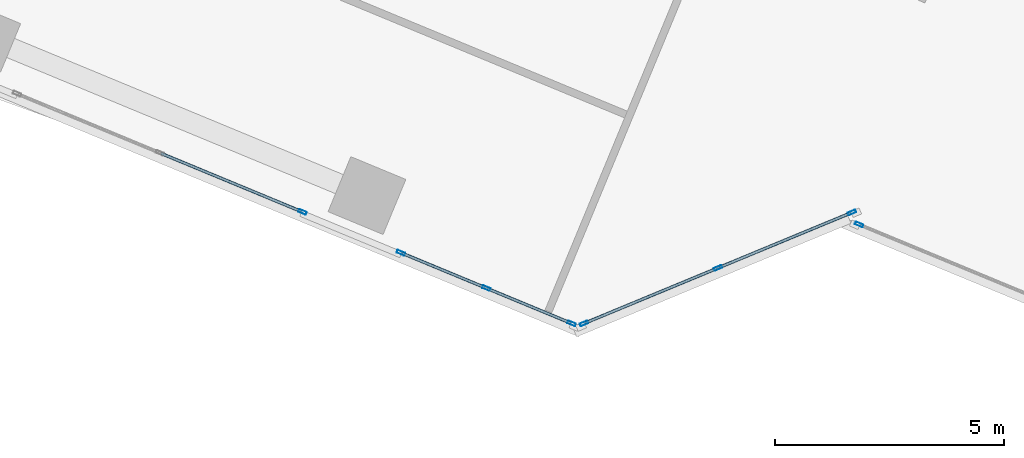
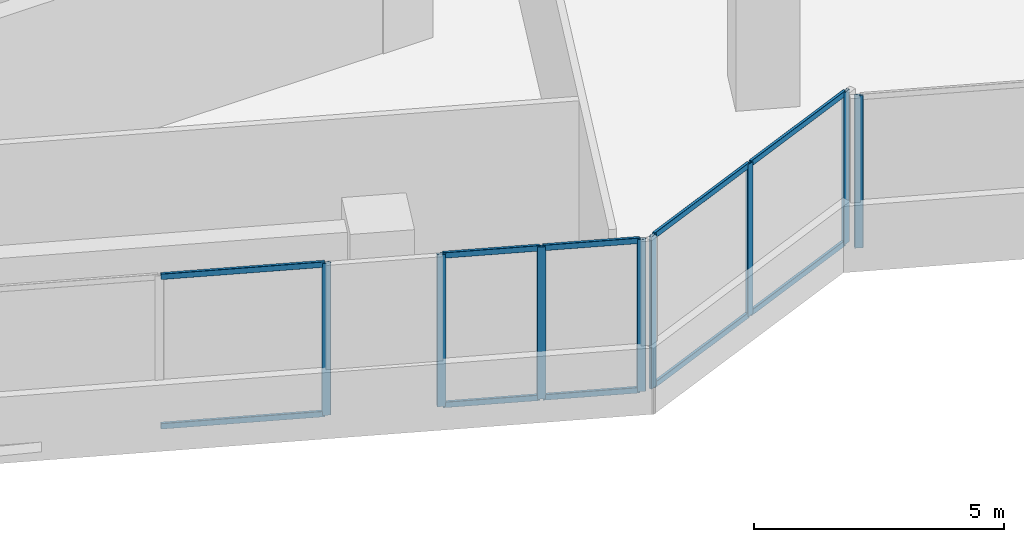
# One storey, part 4 of 24: 18 members, 4 elements without a shape of their own.
"""IFC4 building model written with IfcOpenShell, lengths in metres."""

from ifc_helpers import new_model, si_unit, direction, frame, origin, origin_2d, place, context, subcontext, project, spatial, hollow_rectangle, extrude, source, transform, mapped, material, material_profile, profile_set, type_object, element, aggregate, save


model = new_model("IFC4")

# Units and contexts
model_context = context("Model", 3, precision=1e-05, world=origin(), true_north=direction((0.0, 1.0)))
body_context = subcontext(model_context, "Body", "Model", "MODEL_VIEW")
ifc_project = project(units=[si_unit("LENGTHUNIT", "METRE"), si_unit("AREAUNIT", "SQUARE_METRE"), si_unit("VOLUMEUNIT", "CUBIC_METRE"), si_unit("PLANEANGLEUNIT", "RADIAN"), si_unit("MASSUNIT", "GRAM", prefix="KILO")], contexts=[model_context])

# Site, building, storey
site_placement = place(None, origin())
site = spatial("IfcSite", under=ifc_project, at=site_placement, CompositionType="ELEMENT")
building_placement = place(site_placement, origin())
building = spatial("IfcBuilding", under=site, at=building_placement, Name="Torre Montelarca", CompositionType="ELEMENT")
storey_placement = place(building_placement, frame((0.0, 0.0, 141.39990234375)))
storey = spatial("IfcBuildingStorey", under=building, at=storey_placement, Name="L31", CompositionType="ELEMENT", Elevation=141.39990234375)

# Curtain wall, members
ifc_material_1 = material(Name="Insulated low-E laminated glass", Category="glass")
curtain_wall_type = type_object("IfcCurtainWallType", Name="CW-SYS-Z2", PredefinedType="USERDEFINED", material=ifc_material_1)
curtain_wall_1_placement = place(storey_placement, origin())
curtain_wall_1 = element("IfcCurtainWall", 1, at=curtain_wall_1_placement, inside=storey, type_object=curtain_wall_type, Name="L31 Curtain Wall Run CW-T3-L31-E02-B1", ObjectType="UNITISED GLAZING", PredefinedType="USERDEFINED")
ifc_material_2 = material(Name="Anodised aluminium AA 6063-T6", Category="aluminium")
ifc_material_profile_1 = material_profile(ifc_material_2, hollow_rectangle(XDim=0.06494140625, YDim=0.139892578125, WallThickness=0.00390625, InnerFilletRadius=0.00390625, OuterFilletRadius=0.008056640625, at=origin_2d()), Name="ALU65X140X4", Category="aluminium")
ifc_profile_set_1 = profile_set([ifc_material_profile_1], Name="Anodised aluminium AA 6063-T6")
member_type_1 = type_object("IfcMemberType", Name="CWT-ALU140", PredefinedType="USERDEFINED", material=ifc_profile_set_1)
shared_shape_1 = source(origin(), body_context, "Body", "SweptSolid", [
    extrude(hollow_rectangle(XDim=0.06494140625, YDim=0.139892578125, WallThickness=0.00390625, InnerFilletRadius=0.00390625, OuterFilletRadius=0.008056640625, at=origin_2d()), origin(), (0.0, 0.0, 1.0), 3.102294921875),
])
member_1_placement = place(storey_placement, frame((24.76904296875, 11.22265625, 0.03271484375), z_axis=(0.923875838222, 0.382692351046, 0.0), x_axis=(-0.382692351046, 0.923875838222, 0.0)))
member_1 = element("IfcMember", 2, at=member_1_placement, type_object=member_type_1, Name="CW transom 1.1", ObjectType="TRANSOM", PredefinedType="USERDEFINED", context=body_context, shape_type="MappedRepresentation", body=[
    mapped(shared_shape_1, transform((0.0, 0.0, 0.0), scale=1.0)),
])
member_2_placement = place(storey_placement, frame((24.76904296875, 11.22265625, 3.6875), z_axis=(0.923875838222, 0.382692351046, 0.0), x_axis=(-0.382692351046, 0.923875838222, 0.0)))
member_2 = element("IfcMember", 3, at=member_2_placement, type_object=member_type_1, Name="CW transom 1.2", ObjectType="TRANSOM", PredefinedType="USERDEFINED", context=body_context, shape_type="MappedRepresentation", body=[
    mapped(shared_shape_1, transform((0.0, 0.0, 0.0), scale=1.0)),
])
shared_shape_2 = source(origin(), body_context, "Body", "SweptSolid", [
    extrude(hollow_rectangle(XDim=0.06494140625, YDim=0.139892578125, WallThickness=0.00390625, InnerFilletRadius=0.00390625, OuterFilletRadius=0.008056640625, at=origin_2d()), origin(), (0.0, 0.0, 1.0), 3.1025390625),
])
member_3_placement = place(storey_placement, frame((27.6953125, 12.4345703125, 0.03271484375), z_axis=(0.923887362076, 0.382664529578, 0.0), x_axis=(-0.382664529578, 0.923887362076, 0.0)))
member_3 = element("IfcMember", 4, at=member_3_placement, type_object=member_type_1, Name="CW transom 2.1", ObjectType="TRANSOM", PredefinedType="USERDEFINED", context=body_context, shape_type="MappedRepresentation", body=[
    mapped(shared_shape_2, transform((0.0, 0.0, 0.0), scale=1.0)),
])
member_4_placement = place(storey_placement, frame((27.6953125, 12.4345703125, 3.6875), z_axis=(0.923887362076, 0.382664529578, 0.0), x_axis=(-0.382664529578, 0.923887362076, 0.0)))
member_4 = element("IfcMember", 5, at=member_4_placement, type_object=member_type_1, Name="CW transom 2.2", ObjectType="TRANSOM", PredefinedType="USERDEFINED", context=body_context, shape_type="MappedRepresentation", body=[
    mapped(shared_shape_2, transform((0.0, 0.0, 0.0), scale=1.0)),
])

# Curtain wall, member
curtain_wall_2_placement = place(storey_placement, origin())
curtain_wall_2 = element("IfcCurtainWall", 6, at=curtain_wall_2_placement, inside=storey, type_object=curtain_wall_type, Name="L31 Curtain Wall Run CW-T3-L31-E01-B2", ObjectType="UNITISED GLAZING", PredefinedType="USERDEFINED")
ifc_material_profile_2 = material_profile(ifc_material_2, hollow_rectangle(XDim=0.06494140625, YDim=0.179931640625, WallThickness=0.00390625, InnerFilletRadius=0.00390625, OuterFilletRadius=0.008056640625, at=origin_2d()), Name="ALU65X180X4", Category="aluminium")
ifc_profile_set_2 = profile_set([ifc_material_profile_2], Name="Anodised aluminium AA 6063-T6")
member_type_2 = type_object("IfcMemberType", Name="CWM-ALU180", PredefinedType="MULLION", material=ifc_profile_set_2)
shared_shape_3 = source(origin(), body_context, "Body", "SweptSolid", [
    extrude(hollow_rectangle(XDim=0.06494140625, YDim=0.179931640625, WallThickness=0.00390625, InnerFilletRadius=0.00390625, OuterFilletRadius=0.008056640625, at=origin_2d()), origin(), (0.0, 0.0, 1.0), 3.72021484375),
])
member_5_placement = place(storey_placement, frame((18.59228515625, 13.6455078125, 0.0), z_axis=(0.0, 0.0, 1.0), x_axis=(0.382681822616, 0.92388019929, 0.0)))
member_5 = element("IfcMember", 7, at=member_5_placement, type_object=member_type_2, Name="CW mullion 3", PredefinedType="MULLION", context=body_context, shape_type="MappedRepresentation", body=[
    mapped(shared_shape_3, transform((0.0, 0.0, 0.0), scale=1.0)),
])

# Curtain wall, members
curtain_wall_3_placement = place(storey_placement, origin())
curtain_wall_3 = element("IfcCurtainWall", 8, at=curtain_wall_3_placement, inside=storey, type_object=curtain_wall_type, Name="L31 Curtain Wall Run CW-T3-L31-E01-B3", ObjectType="UNITISED GLAZING", PredefinedType="USERDEFINED")
member_6_placement = place(storey_placement, frame((20.740234375, 12.755859375, 0.0), z_axis=(0.0, 0.0, 1.0), x_axis=(0.382668132611, 0.923885869728, 0.0)))
member_6 = element("IfcMember", 9, at=member_6_placement, type_object=member_type_2, Name="CW mullion 1", PredefinedType="MULLION", context=body_context, shape_type="MappedRepresentation", body=[
    mapped(shared_shape_3, transform((0.0, 0.0, 0.0), scale=1.0)),
])
member_7_placement = place(storey_placement, frame((22.60595703125, 11.98291015625, 0.0), z_axis=(0.0, 0.0, 1.0), x_axis=(0.382668132611, 0.923885869728, 0.0)))
member_7 = element("IfcMember", 10, at=member_7_placement, type_object=member_type_2, Name="CW mullion 2", PredefinedType="MULLION", context=body_context, shape_type="MappedRepresentation", body=[
    mapped(shared_shape_3, transform((0.0, 0.0, 0.0), scale=1.0)),
])
member_8_placement = place(storey_placement, frame((24.471923828125, 11.210205078125, 0.0), z_axis=(0.0, 0.0, 1.0), x_axis=(0.382668132611, 0.923885869728, 0.0)))
member_8 = element("IfcMember", 11, at=member_8_placement, type_object=member_type_2, Name="CW mullion 3", PredefinedType="MULLION", context=body_context, shape_type="MappedRepresentation", body=[
    mapped(shared_shape_3, transform((0.0, 0.0, 0.0), scale=1.0)),
])

# Member
member_9_placement = place(storey_placement, frame((24.739013671875, 11.210205078125, 0.0), z_axis=(0.0, 0.0, 1.0), x_axis=(-0.382669645783, 0.92388524298, 0.0)))
member_9 = element("IfcMember", 12, at=member_9_placement, type_object=member_type_2, Name="CW mullion 1", PredefinedType="MULLION", context=body_context, shape_type="MappedRepresentation", body=[
    mapped(shared_shape_3, transform((0.0, 0.0, 0.0), scale=1.0)),
])

member_10_placement = place(storey_placement, frame((27.665283203125, 12.42236328125, 0.0), z_axis=(0.0, 0.0, 1.0), x_axis=(-0.382669645783, 0.92388524298, 0.0)))
member_10 = element("IfcMember", 13, at=member_10_placement, type_object=member_type_2, Name="CW mullion 2", PredefinedType="MULLION", context=body_context, shape_type="MappedRepresentation", body=[
    mapped(shared_shape_3, transform((0.0, 0.0, 0.0), scale=1.0)),
])

member_11_placement = place(storey_placement, frame((30.591796875, 13.63427734375, 0.0), z_axis=(0.0, 0.0, 1.0), x_axis=(-0.382669645783, 0.92388524298, 0.0)))
member_11 = element("IfcMember", 14, at=member_11_placement, type_object=member_type_2, Name="CW mullion 3", PredefinedType="MULLION", context=body_context, shape_type="MappedRepresentation", body=[
    mapped(shared_shape_3, transform((0.0, 0.0, 0.0), scale=1.0)),
])

aggregate(curtain_wall_1, [member_9, member_10, member_11, member_1, member_2, member_3, member_4])

# Curtain wall, member
curtain_wall_4_placement = place(storey_placement, origin())
curtain_wall_4 = element("IfcCurtainWall", 15, at=curtain_wall_4_placement, inside=storey, type_object=curtain_wall_type, Name="L31 Curtain Wall Run CW-T3-L31-E04-B1", ObjectType="UNITISED GLAZING", PredefinedType="USERDEFINED")
member_12_placement = place(storey_placement, frame((30.750244140625, 13.3720703125, 0.0), z_axis=(0.0, 0.0, 1.0), x_axis=(0.382671218228, 0.923884591678, 0.0)))
member_12 = element("IfcMember", 16, at=member_12_placement, type_object=member_type_2, Name="CW mullion 1", PredefinedType="MULLION", context=body_context, shape_type="MappedRepresentation", body=[
    mapped(shared_shape_3, transform((0.0, 0.0, 0.0), scale=1.0)),
])
aggregate(curtain_wall_4, [member_12])

# Member
shared_shape_4 = source(origin(), body_context, "Body", "SweptSolid", [
    extrude(hollow_rectangle(XDim=0.06494140625, YDim=0.139892578125, WallThickness=0.00390625, InnerFilletRadius=0.00390625, OuterFilletRadius=0.008056640625, at=origin_2d()), origin(), (0.0, 0.0, 1.0), 3.31005859375),
])
member_13_placement = place(storey_placement, frame((15.504150390625, 14.924560546875, 0.03271484375), z_axis=(0.923890982197, -0.382655789209, 0.0), x_axis=(0.382655789209, 0.923890982197, 0.0)))
member_13 = element("IfcMember", 17, at=member_13_placement, type_object=member_type_1, Name="CW transom 2.1", ObjectType="TRANSOM", PredefinedType="USERDEFINED", context=body_context, shape_type="MappedRepresentation", body=[
    mapped(shared_shape_4, transform((0.0, 0.0, 0.0), scale=1.0)),
])

member_14_placement = place(storey_placement, frame((15.504150390625, 14.924560546875, 3.6875), z_axis=(0.923890982197, -0.382655789209, 0.0), x_axis=(0.382655789209, 0.923890982197, 0.0)))
member_14 = element("IfcMember", 18, at=member_14_placement, type_object=member_type_1, Name="CW transom 2.2", ObjectType="TRANSOM", PredefinedType="USERDEFINED", context=body_context, shape_type="MappedRepresentation", body=[
    mapped(shared_shape_4, transform((0.0, 0.0, 0.0), scale=1.0)),
])

aggregate(curtain_wall_2, [member_5, member_13, member_14])

shared_shape_5 = source(origin(), body_context, "Body", "SweptSolid", [
    extrude(hollow_rectangle(XDim=0.06494140625, YDim=0.139892578125, WallThickness=0.00390625, InnerFilletRadius=0.00390625, OuterFilletRadius=0.008056640625, at=origin_2d()), origin(), (0.0, 0.0, 1.0), 1.95458984375),
])
member_15_placement = place(storey_placement, frame((20.770263671875, 12.743408203125, 0.03271484375), z_axis=(0.923858487526, -0.382734235503, 0.0), x_axis=(0.382734235503, 0.923858487526, 0.0)))
member_15 = element("IfcMember", 19, at=member_15_placement, type_object=member_type_1, Name="CW transom 1.1", ObjectType="TRANSOM", PredefinedType="USERDEFINED", context=body_context, shape_type="MappedRepresentation", body=[
    mapped(shared_shape_5, transform((0.0, 0.0, 0.0), scale=1.0)),
])

member_16_placement = place(storey_placement, frame((20.770263671875, 12.743408203125, 3.6875), z_axis=(0.923858487526, -0.382734235503, 0.0), x_axis=(0.382734235503, 0.923858487526, 0.0)))
member_16 = element("IfcMember", 20, at=member_16_placement, type_object=member_type_1, Name="CW transom 1.2", ObjectType="TRANSOM", PredefinedType="USERDEFINED", context=body_context, shape_type="MappedRepresentation", body=[
    mapped(shared_shape_5, transform((0.0, 0.0, 0.0), scale=1.0)),
])

member_17_placement = place(storey_placement, frame((22.635986328125, 11.970458984375, 0.03271484375), z_axis=(0.923920937345, -0.382583456954, 0.0), x_axis=(0.382583456954, 0.923920937345, 0.0)))
member_17 = element("IfcMember", 21, at=member_17_placement, type_object=member_type_1, Name="CW transom 2.1", ObjectType="TRANSOM", PredefinedType="USERDEFINED", context=body_context, shape_type="MappedRepresentation", body=[
    mapped(shared_shape_5, transform((0.0, 0.0, 0.0), scale=1.0)),
])

member_18_placement = place(storey_placement, frame((22.635986328125, 11.970458984375, 3.6875), z_axis=(0.923920937345, -0.382583456954, 0.0), x_axis=(0.382583456954, 0.923920937345, 0.0)))
member_18 = element("IfcMember", 22, at=member_18_placement, type_object=member_type_1, Name="CW transom 2.2", ObjectType="TRANSOM", PredefinedType="USERDEFINED", context=body_context, shape_type="MappedRepresentation", body=[
    mapped(shared_shape_5, transform((0.0, 0.0, 0.0), scale=1.0)),
])

aggregate(curtain_wall_3, [member_6, member_7, member_8, member_15, member_16, member_17, member_18])

save(model, "model.ifc")
